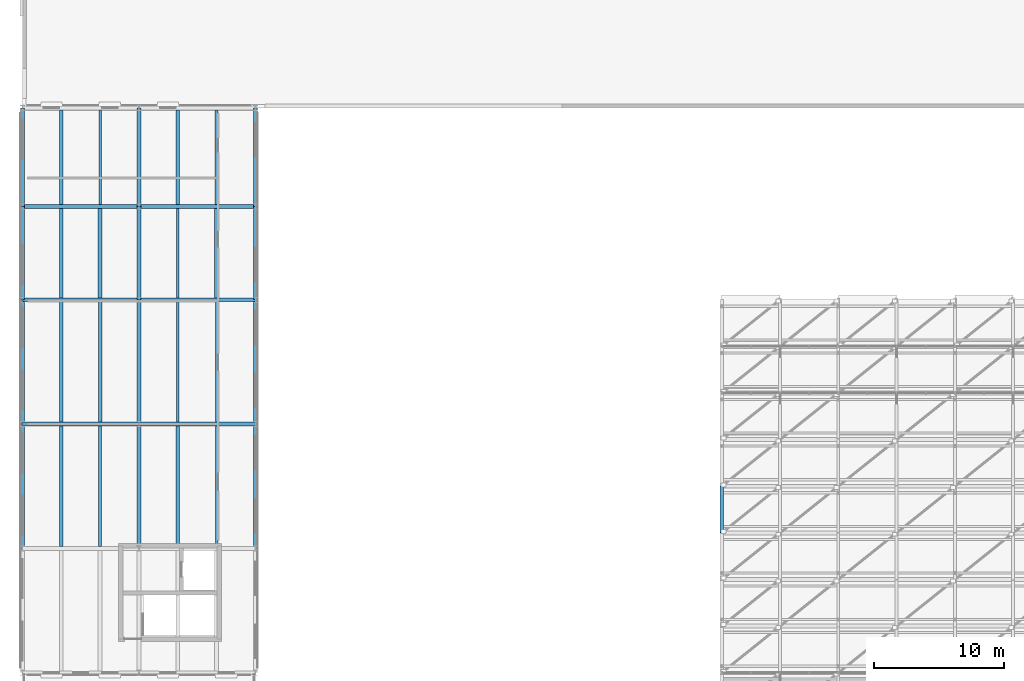
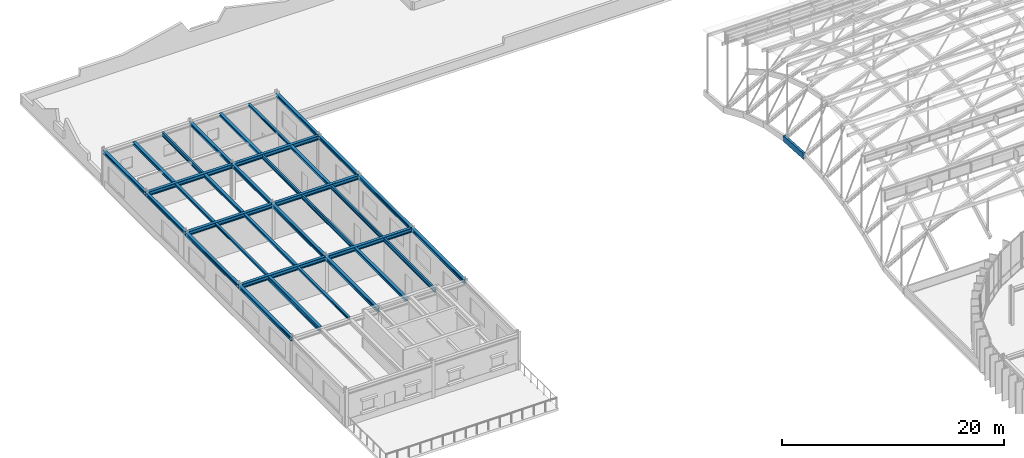
# One storey, part 26 of 69: 35 beams.
"""IFC4 building model written with IfcOpenShell, lengths in metres."""

from ifc_helpers import new_model, si_unit, direction, frame, origin, origin_2d, place, context, subcontext, project, spatial, rectangle, i_section, extrude, material, material_profile, profile_set, type_object, element, save


model = new_model("IFC4")

# Units and contexts
model_context = context("Model", 3, precision=1e-05, world=origin(), true_north=direction((0.0, 1.0)))
body_context = subcontext(model_context, "Body", "Model", "MODEL_VIEW")
ifc_project = project(units=[si_unit("LENGTHUNIT", "METRE"), si_unit("AREAUNIT", "SQUARE_METRE"), si_unit("VOLUMEUNIT", "CUBIC_METRE"), si_unit("PLANEANGLEUNIT", "RADIAN"), si_unit("MASSUNIT", "GRAM", prefix="KILO")], contexts=[model_context])

# Site, building, storey
site_placement = place(None, origin())
site = spatial("IfcSite", under=ifc_project, at=site_placement, CompositionType="ELEMENT")
building_placement = place(site_placement, origin())
building = spatial("IfcBuilding", under=site, at=building_placement, Name="Montealbar Specialist Clinic", CompositionType="ELEMENT")
storey_placement = place(building_placement, frame((0.0, 0.0, 9.60009765625)))
storey = spatial("IfcBuildingStorey", under=building, at=storey_placement, Name="L02", CompositionType="ELEMENT", Elevation=9.60009765625)

# Beams
ifc_material_1 = material(Name="Steel S355", Category="steel")
ifc_material_profile_1 = material_profile(ifc_material_1, i_section(OverallWidth=0.300048828125, OverallDepth=0.360107421875, WebThickness=0.012451171875, FlangeThickness=0.0224609375, FilletRadius=0.027099609375, at=origin_2d()), Name="HEB 360", Category="steel")
ifc_profile_set_1 = profile_set([ifc_material_profile_1], Name="Steel S355")
beam_type_1 = type_object("IfcBeamType", Name="BM-GIRD-HEB360-EXT", PredefinedType="BEAM", material=ifc_profile_set_1)
beam_1_placement = place(storey_placement, frame((0.0, 81.0, 3.75), z_axis=(0.0, 1.0, 0.0), x_axis=(-1.0, 0.0, 0.0)))
element("IfcBeam", 1, at=beam_1_placement, inside=storey, type_object=beam_type_1, Name="Beam GY-L02-0-810-882", PredefinedType="BEAM", context=body_context, shape_type="SweptSolid", body=[
    extrude(i_section(OverallWidth=0.300048828125, OverallDepth=0.360107421875, WebThickness=0.012451171875, FlangeThickness=0.0224609375, FilletRadius=0.027099609375, at=origin_2d()), origin(), (0.0, 0.0, 1.0), 7.199951171875),
])
beam_2_placement = place(storey_placement, frame((0.0, 88.199951171875, 3.75), z_axis=(0.0, 1.0, 0.0), x_axis=(-1.0, 0.0, 0.0)))
element("IfcBeam", 2, at=beam_2_placement, inside=storey, type_object=beam_type_1, Name="Beam GY-L02-0-882-958", PredefinedType="BEAM", context=body_context, shape_type="SweptSolid", body=[
    extrude(i_section(OverallWidth=0.300048828125, OverallDepth=0.360107421875, WebThickness=0.012451171875, FlangeThickness=0.0224609375, FilletRadius=0.027099609375, at=origin_2d()), origin(), (0.0, 0.0, 1.0), 7.60009765625),
])
beam_3_placement = place(storey_placement, frame((9.0, 81.0, 3.75), z_axis=(0.0, 1.0, 0.0), x_axis=(-1.0, 0.0, 0.0)))
element("IfcBeam", 3, at=beam_3_placement, inside=storey, type_object=beam_type_1, Name="Beam GY-L02-90-810-882", PredefinedType="BEAM", context=body_context, shape_type="SweptSolid", body=[
    extrude(i_section(OverallWidth=0.300048828125, OverallDepth=0.360107421875, WebThickness=0.012451171875, FlangeThickness=0.0224609375, FilletRadius=0.027099609375, at=origin_2d()), origin(), (0.0, 0.0, 1.0), 7.199951171875),
])
beam_4_placement = place(storey_placement, frame((9.0, 88.199951171875, 3.75), z_axis=(0.0, 1.0, 0.0), x_axis=(-1.0, 0.0, 0.0)))
element("IfcBeam", 4, at=beam_4_placement, inside=storey, type_object=beam_type_1, Name="Beam GY-L02-90-882-958", PredefinedType="BEAM", context=body_context, shape_type="SweptSolid", body=[
    extrude(i_section(OverallWidth=0.300048828125, OverallDepth=0.360107421875, WebThickness=0.012451171875, FlangeThickness=0.0224609375, FilletRadius=0.027099609375, at=origin_2d()), origin(), (0.0, 0.0, 1.0), 7.60009765625),
])
beam_5_placement = place(storey_placement, frame((18.0, 81.0, 3.75), z_axis=(0.0, 1.0, 0.0), x_axis=(-1.0, 0.0, 0.0)))
element("IfcBeam", 5, at=beam_5_placement, inside=storey, type_object=beam_type_1, Name="Beam GY-L02-180-810-882", PredefinedType="BEAM", context=body_context, shape_type="SweptSolid", body=[
    extrude(i_section(OverallWidth=0.300048828125, OverallDepth=0.360107421875, WebThickness=0.012451171875, FlangeThickness=0.0224609375, FilletRadius=0.027099609375, at=origin_2d()), origin(), (0.0, 0.0, 1.0), 7.199951171875),
])
beam_6_placement = place(storey_placement, frame((18.0, 88.199951171875, 3.75), z_axis=(0.0, 1.0, 0.0), x_axis=(-1.0, 0.0, 0.0)))
element("IfcBeam", 6, at=beam_6_placement, inside=storey, type_object=beam_type_1, Name="Beam GY-L02-180-882-958", PredefinedType="BEAM", context=body_context, shape_type="SweptSolid", body=[
    extrude(i_section(OverallWidth=0.300048828125, OverallDepth=0.360107421875, WebThickness=0.012451171875, FlangeThickness=0.0224609375, FilletRadius=0.027099609375, at=origin_2d()), origin(), (0.0, 0.0, 1.0), 7.60009765625),
])
ifc_material_profile_2 = material_profile(ifc_material_1, i_section(OverallWidth=0.300048828125, OverallDepth=0.39990234375, WebThickness=0.013427734375, FlangeThickness=0.02392578125, FilletRadius=0.027099609375, at=origin_2d()), Name="HEB 400", Category="steel")
ifc_profile_set_2 = profile_set([ifc_material_profile_2], Name="Steel S355")
beam_type_2 = type_object("IfcBeamType", Name="BM-GIRD-HEB400-EXT", PredefinedType="BEAM", material=ifc_profile_set_2)
beam_7_placement = place(storey_placement, frame((0.0, 61.800048828125, 3.72998046875), z_axis=(0.0, 1.0, 0.0), x_axis=(-1.0, 0.0, 0.0)))
element("IfcBeam", 7, at=beam_7_placement, inside=storey, type_object=beam_type_2, Name="Beam GY-L02-0-618-714", PredefinedType="BEAM", context=body_context, shape_type="SweptSolid", body=[
    extrude(i_section(OverallWidth=0.300048828125, OverallDepth=0.39990234375, WebThickness=0.013427734375, FlangeThickness=0.02392578125, FilletRadius=0.027099609375, at=origin_2d()), origin(), (0.0, 0.0, 1.0), 9.599853515625),
])
beam_8_placement = place(storey_placement, frame((0.0, 71.39990234375, 3.72998046875), z_axis=(0.0, 1.0, 0.0), x_axis=(-1.0, 0.0, 0.0)))
element("IfcBeam", 8, at=beam_8_placement, inside=storey, type_object=beam_type_2, Name="Beam GY-L02-0-714-810", PredefinedType="BEAM", context=body_context, shape_type="SweptSolid", body=[
    extrude(i_section(OverallWidth=0.300048828125, OverallDepth=0.39990234375, WebThickness=0.013427734375, FlangeThickness=0.02392578125, FilletRadius=0.027099609375, at=origin_2d()), origin(), (0.0, 0.0, 1.0), 9.60009765625),
])
beam_9_placement = place(storey_placement, frame((9.0, 61.800048828125, 3.72998046875), z_axis=(0.0, 1.0, 0.0), x_axis=(-1.0, 0.0, 0.0)))
element("IfcBeam", 9, at=beam_9_placement, inside=storey, type_object=beam_type_2, Name="Beam GY-L02-90-618-714", PredefinedType="BEAM", context=body_context, shape_type="SweptSolid", body=[
    extrude(i_section(OverallWidth=0.300048828125, OverallDepth=0.39990234375, WebThickness=0.013427734375, FlangeThickness=0.02392578125, FilletRadius=0.027099609375, at=origin_2d()), origin(), (0.0, 0.0, 1.0), 9.599853515625),
])
beam_10_placement = place(storey_placement, frame((9.0, 71.39990234375, 3.72998046875), z_axis=(0.0, 1.0, 0.0), x_axis=(-1.0, 0.0, 0.0)))
element("IfcBeam", 10, at=beam_10_placement, inside=storey, type_object=beam_type_2, Name="Beam GY-L02-90-714-810", PredefinedType="BEAM", context=body_context, shape_type="SweptSolid", body=[
    extrude(i_section(OverallWidth=0.300048828125, OverallDepth=0.39990234375, WebThickness=0.013427734375, FlangeThickness=0.02392578125, FilletRadius=0.027099609375, at=origin_2d()), origin(), (0.0, 0.0, 1.0), 9.60009765625),
])
beam_11_placement = place(storey_placement, frame((18.0, 61.800048828125, 3.72998046875), z_axis=(0.0, 1.0, 0.0), x_axis=(-1.0, 0.0, 0.0)))
element("IfcBeam", 11, at=beam_11_placement, inside=storey, type_object=beam_type_2, Name="Beam GY-L02-180-618-714", PredefinedType="BEAM", context=body_context, shape_type="SweptSolid", body=[
    extrude(i_section(OverallWidth=0.300048828125, OverallDepth=0.39990234375, WebThickness=0.013427734375, FlangeThickness=0.02392578125, FilletRadius=0.027099609375, at=origin_2d()), origin(), (0.0, 0.0, 1.0), 9.599853515625),
])
beam_12_placement = place(storey_placement, frame((18.0, 71.39990234375, 3.72998046875), z_axis=(0.0, 1.0, 0.0), x_axis=(-1.0, 0.0, 0.0)))
element("IfcBeam", 12, at=beam_12_placement, inside=storey, type_object=beam_type_2, Name="Beam GY-L02-180-714-810", PredefinedType="BEAM", context=body_context, shape_type="SweptSolid", body=[
    extrude(i_section(OverallWidth=0.300048828125, OverallDepth=0.39990234375, WebThickness=0.013427734375, FlangeThickness=0.02392578125, FilletRadius=0.027099609375, at=origin_2d()), origin(), (0.0, 0.0, 1.0), 9.60009765625),
])
ifc_material_profile_3 = material_profile(ifc_material_1, i_section(OverallWidth=0.300048828125, OverallDepth=0.449951171875, WebThickness=0.013916015625, FlangeThickness=0.02587890625, FilletRadius=0.027099609375, at=origin_2d()), Name="HEB 450", Category="steel")
ifc_profile_set_3 = profile_set([ifc_material_profile_3], Name="Steel S355")
beam_type_3 = type_object("IfcBeamType", Name="BM-GIRD-HEB450-EXT", PredefinedType="BEAM", material=ifc_profile_set_3)
for number, where, z_axis, x_axis, name in (
    (13, (0.0, 71.39990234375, 3.704833984375), (1.0, 0.0, 0.0), (0.0, 1.0, 0.0), "Beam GX-L02-0-90-714"),
    (14, (9.0, 71.39990234375, 3.704833984375), (1.0, 0.0, 0.0), (0.0, 1.0, 0.0), "Beam GX-L02-90-180-714"),
    (15, (0.0, 81.0, 3.704833984375), (1.0, 0.0, 0.0), (0.0, 1.0, 0.0), "Beam GX-L02-0-90-810"),
    (16, (9.0, 81.0, 3.704833984375), (1.0, 0.0, 0.0), (0.0, 1.0, 0.0), "Beam GX-L02-90-180-810"),
    (17, (0.0, 88.199951171875, 3.704833984375), (1.0, 0.0, 0.0), (0.0, 1.0, 0.0), "Beam GX-L02-0-90-882"),
    (18, (9.0, 88.199951171875, 3.704833984375), (1.0, 0.0, 0.0), (0.0, 1.0, 0.0), "Beam GX-L02-90-180-882"),
):
    element("IfcBeam", number, at=place(storey_placement, frame(where, z_axis=z_axis, x_axis=x_axis)), inside=storey, type_object=beam_type_3, Name=name, PredefinedType="BEAM", context=body_context, shape_type="SweptSolid", body=[
        extrude(i_section(OverallWidth=0.300048828125, OverallDepth=0.449951171875, WebThickness=0.013916015625, FlangeThickness=0.02587890625, FilletRadius=0.027099609375, at=origin_2d()), origin(), (0.0, 0.0, 1.0), 9.0),
    ])
ifc_material_2 = material(Name="Glulam GL28h", Category="wood")
ifc_material_profile_4 = material_profile(ifc_material_2, rectangle(XDim=0.239990234375, YDim=0.639892578125, at=origin_2d()), Name="GL28h 240x640", Category="wood")
ifc_profile_set_4 = profile_set([ifc_material_profile_4], Name="Glulam GL28h")
beam_type_4 = type_object("IfcBeamType", Name="BM-GL-240x640-EXT", PredefinedType="BEAM", material=ifc_profile_set_4)
beam_13_placement = place(storey_placement, frame((54.0, 63.0, 4.25), z_axis=(0.0, 0.998017130092, -0.062942895089), x_axis=(-1.0, 0.0, 0.0)))
element("IfcBeam", 19, at=beam_13_placement, inside=storey, type_object=beam_type_4, Name="Gridshell Glulam Roof Truss Rib Y 0-5", PredefinedType="BEAM", context=body_context, shape_type="SweptSolid", body=[
    extrude(rectangle(XDim=0.239990234375, YDim=0.639892578125, at=origin_2d()), origin(), (0.0, 0.0, 1.0), 3.607177734375),
])
ifc_material_profile_5 = material_profile(ifc_material_1, i_section(OverallWidth=0.300048828125, OverallDepth=0.489990234375, WebThickness=0.011962890625, FlangeThickness=0.02294921875, FilletRadius=0.027099609375, at=origin_2d()), Name="HEA 500", Category="steel")
ifc_profile_set_5 = profile_set([ifc_material_profile_5], Name="Steel S355")
beam_type_5 = type_object("IfcBeamType", Name="BM-JST-HEA500", PredefinedType="JOIST", material=ifc_profile_set_5)
beam_14_placement = place(storey_placement, frame((3.0, 61.949951171875, 3.684814453125), z_axis=(0.0, 1.0, 0.0), x_axis=(-1.0, 0.0, 0.0)))
element("IfcBeam", 20, at=beam_14_placement, inside=storey, type_object=beam_type_5, Name="Beam JST-L02-30-620-712", PredefinedType="JOIST", context=body_context, shape_type="SweptSolid", body=[
    extrude(i_section(OverallWidth=0.300048828125, OverallDepth=0.489990234375, WebThickness=0.011962890625, FlangeThickness=0.02294921875, FilletRadius=0.027099609375, at=origin_2d()), origin(), (0.0, 0.0, 1.0), 9.300048828125),
])
ifc_material_profile_6 = material_profile(ifc_material_1, i_section(OverallWidth=0.239990234375, OverallDepth=0.239990234375, WebThickness=0.010009765625, FlangeThickness=0.01708984375, FilletRadius=0.02099609375, at=origin_2d()), Name="HEB 240", Category="steel")
ifc_profile_set_6 = profile_set([ifc_material_profile_6], Name="Steel S355")
beam_type_6 = type_object("IfcBeamType", Name="BM-JST-HEB240", PredefinedType="JOIST", material=ifc_profile_set_6)
for number, where, z_axis, x_axis, name in (
    (21, (6.0, 61.949951171875, 3.809814453125), (0.0, 1.0, 0.0), (-1.0, 0.0, 0.0), "Beam JST-L02-60-620-712"),
    (22, (3.0, 71.550048828125, 3.809814453125), (0.0, 1.0, 0.0), (-1.0, 0.0, 0.0), "Beam JST-L02-30-716-808"),
):
    element("IfcBeam", number, at=place(storey_placement, frame(where, z_axis=z_axis, x_axis=x_axis)), inside=storey, type_object=beam_type_6, Name=name, PredefinedType="JOIST", context=body_context, shape_type="SweptSolid", body=[
        extrude(i_section(OverallWidth=0.239990234375, OverallDepth=0.239990234375, WebThickness=0.010009765625, FlangeThickness=0.01708984375, FilletRadius=0.02099609375, at=origin_2d()), origin(), (0.0, 0.0, 1.0), 9.300048828125),
    ])
ifc_material_profile_7 = material_profile(ifc_material_1, i_section(OverallWidth=0.280029296875, OverallDepth=0.280029296875, WebThickness=0.010498046875, FlangeThickness=0.01806640625, FilletRadius=0.02392578125, at=origin_2d()), Name="HEB 280", Category="steel")
ifc_profile_set_7 = profile_set([ifc_material_profile_7], Name="Steel S355")
beam_type_7 = type_object("IfcBeamType", Name="BM-JST-HEB280", PredefinedType="JOIST", material=ifc_profile_set_7)
beam_15_placement = place(storey_placement, frame((6.0, 71.550048828125, 3.789794921875), z_axis=(0.0, 1.0, 0.0), x_axis=(-1.0, 0.0, 0.0)))
element("IfcBeam", 23, at=beam_15_placement, inside=storey, type_object=beam_type_7, Name="Beam JST-L02-60-716-808", PredefinedType="JOIST", context=body_context, shape_type="SweptSolid", body=[
    extrude(i_section(OverallWidth=0.280029296875, OverallDepth=0.280029296875, WebThickness=0.010498046875, FlangeThickness=0.01806640625, FilletRadius=0.02392578125, at=origin_2d()), origin(), (0.0, 0.0, 1.0), 9.300048828125),
])
beam_16_placement = place(storey_placement, frame((3.0, 81.14990234375, 3.789794921875), z_axis=(0.0, 1.0, 0.0), x_axis=(-1.0, 0.0, 0.0)))
element("IfcBeam", 24, at=beam_16_placement, inside=storey, type_object=beam_type_7, Name="Beam JST-L02-30-812-880", PredefinedType="JOIST", context=body_context, shape_type="SweptSolid", body=[
    extrude(i_section(OverallWidth=0.280029296875, OverallDepth=0.280029296875, WebThickness=0.010498046875, FlangeThickness=0.01806640625, FilletRadius=0.02392578125, at=origin_2d()), origin(), (0.0, 0.0, 1.0), 6.900146484375),
])
ifc_material_profile_8 = material_profile(ifc_material_1, i_section(OverallWidth=0.300048828125, OverallDepth=0.320068359375, WebThickness=0.011474609375, FlangeThickness=0.0205078125, FilletRadius=0.027099609375, at=origin_2d()), Name="HEB 320", Category="steel")
ifc_profile_set_8 = profile_set([ifc_material_profile_8], Name="Steel S355")
beam_type_8 = type_object("IfcBeamType", Name="BM-JST-HEB320", PredefinedType="JOIST", material=ifc_profile_set_8)
beam_17_placement = place(storey_placement, frame((6.0, 81.14990234375, 3.77001953125), z_axis=(0.0, 1.0, 0.0), x_axis=(-1.0, 0.0, 0.0)))
element("IfcBeam", 25, at=beam_17_placement, inside=storey, type_object=beam_type_8, Name="Beam JST-L02-60-812-880", PredefinedType="JOIST", context=body_context, shape_type="SweptSolid", body=[
    extrude(i_section(OverallWidth=0.300048828125, OverallDepth=0.320068359375, WebThickness=0.011474609375, FlangeThickness=0.0205078125, FilletRadius=0.027099609375, at=origin_2d()), origin(), (0.0, 0.0, 1.0), 6.900146484375),
])
beam_18_placement = place(storey_placement, frame((3.0, 88.35009765625, 3.77001953125), z_axis=(0.0, 1.0, 0.0), x_axis=(-1.0, 0.0, 0.0)))
element("IfcBeam", 26, at=beam_18_placement, inside=storey, type_object=beam_type_8, Name="Beam JST-L02-30-884-956", PredefinedType="JOIST", context=body_context, shape_type="SweptSolid", body=[
    extrude(i_section(OverallWidth=0.300048828125, OverallDepth=0.320068359375, WebThickness=0.011474609375, FlangeThickness=0.0205078125, FilletRadius=0.027099609375, at=origin_2d()), origin(), (0.0, 0.0, 1.0), 7.2998046875),
])
beam_19_placement = place(storey_placement, frame((12.0, 61.949951171875, 3.77001953125), z_axis=(0.0, 1.0, 0.0), x_axis=(-1.0, 0.0, 0.0)))
element("IfcBeam", 27, at=beam_19_placement, inside=storey, type_object=beam_type_8, Name="Beam JST-L02-120-620-712", PredefinedType="JOIST", context=body_context, shape_type="SweptSolid", body=[
    extrude(i_section(OverallWidth=0.300048828125, OverallDepth=0.320068359375, WebThickness=0.011474609375, FlangeThickness=0.0205078125, FilletRadius=0.027099609375, at=origin_2d()), origin(), (0.0, 0.0, 1.0), 9.300048828125),
])
ifc_material_profile_9 = material_profile(ifc_material_1, i_section(OverallWidth=0.179931640625, OverallDepth=0.39990234375, WebThickness=0.008544921875, FlangeThickness=0.013427734375, FilletRadius=0.02099609375, at=origin_2d()), Name="IPE 400", Category="steel")
ifc_profile_set_9 = profile_set([ifc_material_profile_9], Name="Steel S355")
beam_type_9 = type_object("IfcBeamType", Name="BM-SEC-IPE400", PredefinedType="BEAM", material=ifc_profile_set_9)
beam_20_placement = place(storey_placement, frame((15.0, 71.550048828125, 3.72998046875), z_axis=(0.0, 1.0, 0.0), x_axis=(-1.0, 0.0, 0.0)))
element("IfcBeam", 28, at=beam_20_placement, inside=storey, type_object=beam_type_9, Name="Beam JST-L02-150-716-808", PredefinedType="BEAM", context=body_context, shape_type="SweptSolid", body=[
    extrude(i_section(OverallWidth=0.179931640625, OverallDepth=0.39990234375, WebThickness=0.008544921875, FlangeThickness=0.013427734375, FilletRadius=0.02099609375, at=origin_2d()), origin(), (0.0, 0.0, 1.0), 9.300048828125),
])
beam_21_placement = place(storey_placement, frame((12.0, 81.14990234375, 3.72998046875), z_axis=(0.0, 1.0, 0.0), x_axis=(-1.0, 0.0, 0.0)))
element("IfcBeam", 29, at=beam_21_placement, inside=storey, type_object=beam_type_9, Name="Beam JST-L02-120-812-880", PredefinedType="BEAM", context=body_context, shape_type="SweptSolid", body=[
    extrude(i_section(OverallWidth=0.179931640625, OverallDepth=0.39990234375, WebThickness=0.008544921875, FlangeThickness=0.013427734375, FilletRadius=0.02099609375, at=origin_2d()), origin(), (0.0, 0.0, 1.0), 6.900146484375),
])
ifc_material_profile_10 = material_profile(ifc_material_1, i_section(OverallWidth=0.18994140625, OverallDepth=0.449951171875, WebThickness=0.009521484375, FlangeThickness=0.0146484375, FilletRadius=0.02099609375, at=origin_2d()), Name="IPE 450", Category="steel")
ifc_profile_set_10 = profile_set([ifc_material_profile_10], Name="Steel S355")
beam_type_10 = type_object("IfcBeamType", Name="BM-SEC-IPE450", PredefinedType="BEAM", material=ifc_profile_set_10)
beam_22_placement = place(storey_placement, frame((6.0, 88.35009765625, 3.704833984375), z_axis=(0.0, 1.0, 0.0), x_axis=(-1.0, 0.0, 0.0)))
element("IfcBeam", 30, at=beam_22_placement, inside=storey, type_object=beam_type_10, Name="Beam JST-L02-60-884-956", PredefinedType="BEAM", context=body_context, shape_type="SweptSolid", body=[
    extrude(i_section(OverallWidth=0.18994140625, OverallDepth=0.449951171875, WebThickness=0.009521484375, FlangeThickness=0.0146484375, FilletRadius=0.02099609375, at=origin_2d()), origin(), (0.0, 0.0, 1.0), 7.2998046875),
])
for number, where, z_axis, x_axis, name in (
    (31, (15.0, 61.949951171875, 3.704833984375), (0.0, 1.0, 0.0), (-1.0, 0.0, 0.0), "Beam JST-L02-150-620-712"),
    (32, (12.0, 71.550048828125, 3.704833984375), (0.0, 1.0, 0.0), (-1.0, 0.0, 0.0), "Beam JST-L02-120-716-808"),
):
    element("IfcBeam", number, at=place(storey_placement, frame(where, z_axis=z_axis, x_axis=x_axis)), inside=storey, type_object=beam_type_10, Name=name, PredefinedType="BEAM", context=body_context, shape_type="SweptSolid", body=[
        extrude(i_section(OverallWidth=0.18994140625, OverallDepth=0.449951171875, WebThickness=0.009521484375, FlangeThickness=0.0146484375, FilletRadius=0.02099609375, at=origin_2d()), origin(), (0.0, 0.0, 1.0), 9.300048828125),
    ])
ifc_material_profile_11 = material_profile(ifc_material_1, i_section(OverallWidth=0.239990234375, OverallDepth=0.22998046875, WebThickness=0.007568359375, FlangeThickness=0.011962890625, FilletRadius=0.02099609375, at=origin_2d()), Name="HEA 240", Category="steel")
ifc_profile_set_11 = profile_set([ifc_material_profile_11], Name="Steel S355")
beam_type_11 = type_object("IfcBeamType", Name="BM-SPAND-HEA240", PredefinedType="SPANDREL", material=ifc_profile_set_11)
beam_23_placement = place(storey_placement, frame((15.0, 88.35009765625, 3.81494140625), z_axis=(0.0, 1.0, 0.0), x_axis=(-1.0, 0.0, 0.0)))
element("IfcBeam", 33, at=beam_23_placement, inside=storey, type_object=beam_type_11, Name="Beam JST-L02-150-884-956", PredefinedType="SPANDREL", context=body_context, shape_type="SweptSolid", body=[
    extrude(i_section(OverallWidth=0.239990234375, OverallDepth=0.22998046875, WebThickness=0.007568359375, FlangeThickness=0.011962890625, FilletRadius=0.02099609375, at=origin_2d()), origin(), (0.0, 0.0, 1.0), 7.2998046875),
])
ifc_material_profile_12 = material_profile(ifc_material_1, i_section(OverallWidth=0.300048828125, OverallDepth=0.2900390625, WebThickness=0.008544921875, FlangeThickness=0.013916015625, FilletRadius=0.027099609375, at=origin_2d()), Name="HEA 300", Category="steel")
ifc_profile_set_12 = profile_set([ifc_material_profile_12], Name="Steel S355")
beam_type_12 = type_object("IfcBeamType", Name="BM-SPAND-HEA300", PredefinedType="SPANDREL", material=ifc_profile_set_12)
beam_24_placement = place(storey_placement, frame((15.0, 81.14990234375, 3.784912109375), z_axis=(0.0, 1.0, 0.0), x_axis=(-1.0, 0.0, 0.0)))
element("IfcBeam", 34, at=beam_24_placement, inside=storey, type_object=beam_type_12, Name="Beam JST-L02-150-812-880", PredefinedType="SPANDREL", context=body_context, shape_type="SweptSolid", body=[
    extrude(i_section(OverallWidth=0.300048828125, OverallDepth=0.2900390625, WebThickness=0.008544921875, FlangeThickness=0.013916015625, FilletRadius=0.027099609375, at=origin_2d()), origin(), (0.0, 0.0, 1.0), 6.900146484375),
])
beam_25_placement = place(storey_placement, frame((12.0, 88.35009765625, 3.784912109375), z_axis=(0.0, 1.0, 0.0), x_axis=(-1.0, 0.0, 0.0)))
element("IfcBeam", 35, at=beam_25_placement, inside=storey, type_object=beam_type_12, Name="Beam JST-L02-120-884-956", PredefinedType="SPANDREL", context=body_context, shape_type="SweptSolid", body=[
    extrude(i_section(OverallWidth=0.300048828125, OverallDepth=0.2900390625, WebThickness=0.008544921875, FlangeThickness=0.013916015625, FilletRadius=0.027099609375, at=origin_2d()), origin(), (0.0, 0.0, 1.0), 7.2998046875),
])

save(model, "model.ifc")
